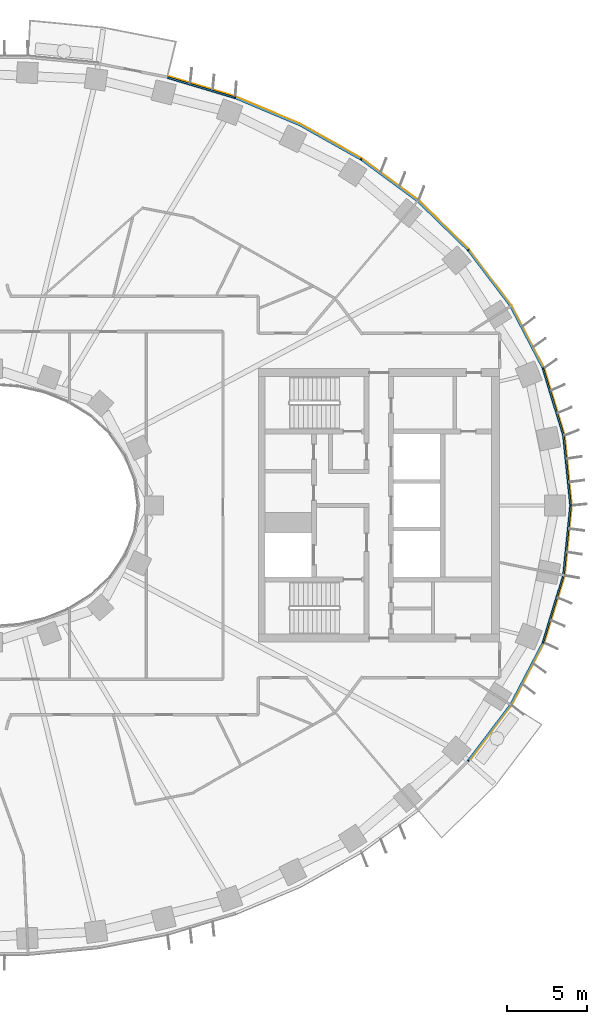
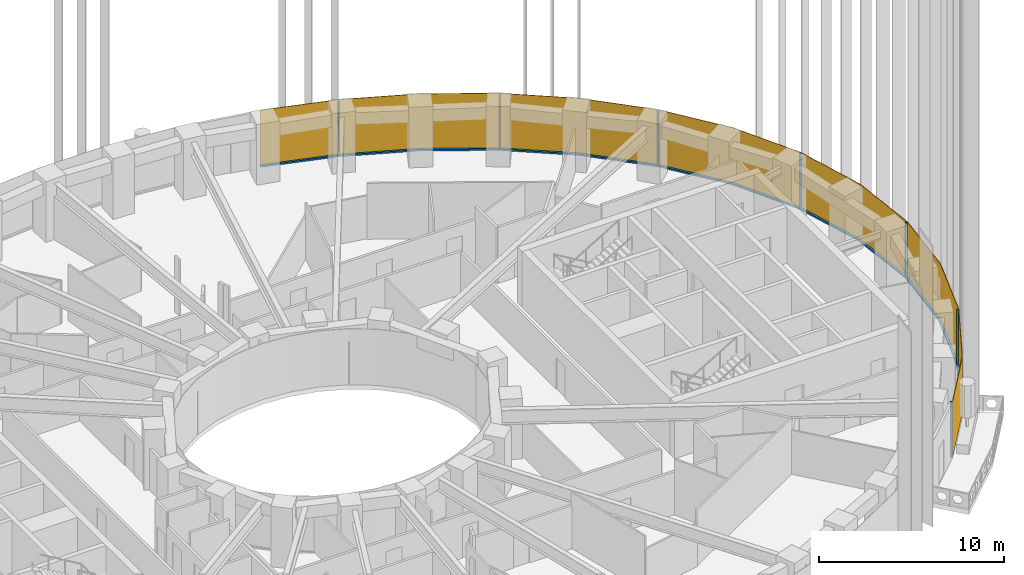
# One storey, part 14 of 20: 14 members, 1 curtain wall.
"""IFC4 building model written with IfcOpenShell, lengths in metres."""

from ifc_helpers import new_model, si_unit, direction, frame, origin, origin_2d, place, context, subcontext, project, spatial, polyline, rectangle, outline, extrude, material, layer, layer_set, material_profile, profile_set, type_object, element, aggregate, save


model = new_model("IFC4")

# Units and contexts
model_context = context("Model", 3, precision=1e-05, world=origin(), true_north=direction((0.0, 1.0)))
body_context = subcontext(model_context, "Body", "Model", "MODEL_VIEW")
ifc_project = project(units=[si_unit("LENGTHUNIT", "METRE"), si_unit("AREAUNIT", "SQUARE_METRE"), si_unit("VOLUMEUNIT", "CUBIC_METRE"), si_unit("PLANEANGLEUNIT", "RADIAN"), si_unit("MASSUNIT", "GRAM", prefix="KILO")], contexts=[model_context])

# Member
ifc_material_1 = material(Name="Aluminium 6063-T6 black anodised", Category="aluminium")
ifc_material_profile = material_profile(ifc_material_1, rectangle(XDim=0.1201171875, YDim=0.06005859375, at=origin_2d()), Name="120x60")
ifc_profile_set = profile_set([ifc_material_profile], Name="Aluminium 6063-T6 black anodised")
member_type_1 = type_object("IfcMemberType", Name="ENV-MULLION-A-120", PredefinedType="MULLION", material=ifc_profile_set)
site_placement = place(None, origin())
building_placement = place(site_placement, origin())
storey_placement = place(building_placement, frame((0.0, 0.0, 88.0)))
member_1_placement = place(storey_placement, frame((29.53857421875, -15.8671875, 0.0), z_axis=(0.0, 0.0, 1.0), x_axis=(-0.749047221705, 0.662516610853, 0.0)))
member_1 = element("IfcMember", 1, at=member_1_placement, type_object=member_type_1, Name="Mullion A radial 43", PredefinedType="MULLION", context=body_context, shape_type="SweptSolid", body=[
    extrude(rectangle(XDim=0.1201171875, YDim=0.06005859375, at=origin_2d()), origin(), (0.0, 0.0, 1.0), 3.699951171875),
])

member_2_placement = place(storey_placement, frame((34.19580078125, -8.513916015625, 0.0), z_axis=(0.0, 0.0, 1.0), x_axis=(-0.92546738067, 0.378827305398, 0.0)))
member_2 = element("IfcMember", 2, at=member_2_placement, type_object=member_type_1, Name="Mullion A radial 45", PredefinedType="MULLION", context=body_context, shape_type="SweptSolid", body=[
    extrude(rectangle(XDim=0.1201171875, YDim=0.06005859375, at=origin_2d()), origin(), (0.0, 0.0, 1.0), 3.699951171875),
])

member_3_placement = place(storey_placement, frame((35.907958984375, 0.0, 0.0), z_axis=(0.0, 0.0, 1.0), x_axis=(-1.0, 0.0, 0.0)))
member_3 = element("IfcMember", 3, at=member_3_placement, type_object=member_type_1, Name="Mullion A radial 01", PredefinedType="MULLION", context=body_context, shape_type="SweptSolid", body=[
    extrude(rectangle(XDim=0.1201171875, YDim=0.06005859375, at=origin_2d()), origin(), (0.0, 0.0, 1.0), 3.699951171875),
])

member_4_placement = place(storey_placement, frame((34.19580078125, 8.513916015625, 0.0), z_axis=(0.0, 0.0, 1.0), x_axis=(-0.92546738067, -0.378827305398, 0.0)))
member_4 = element("IfcMember", 4, at=member_4_placement, type_object=member_type_1, Name="Mullion A radial 03", PredefinedType="MULLION", context=body_context, shape_type="SweptSolid", body=[
    extrude(rectangle(XDim=0.1201171875, YDim=0.06005859375, at=origin_2d()), origin(), (0.0, 0.0, 1.0), 3.699951171875),
])

member_5_placement = place(storey_placement, frame((29.53857421875, 15.8671875, 0.0), z_axis=(0.0, 0.0, 1.0), x_axis=(-0.749047221705, -0.662516610853, 0.0)))
member_5 = element("IfcMember", 5, at=member_5_placement, type_object=member_type_1, Name="Mullion A radial 05", PredefinedType="MULLION", context=body_context, shape_type="SweptSolid", body=[
    extrude(rectangle(XDim=0.1201171875, YDim=0.06005859375, at=origin_2d()), origin(), (0.0, 0.0, 1.0), 3.699951171875),
])

member_6_placement = place(storey_placement, frame((22.882568359375, 21.506591796875, 0.0), z_axis=(0.0, 0.0, 1.0), x_axis=(-0.542279153225, -0.840198381323, 0.0)))
member_6 = element("IfcMember", 6, at=member_6_placement, type_object=member_type_1, Name="Mullion A radial 07", PredefinedType="MULLION", context=body_context, shape_type="SweptSolid", body=[
    extrude(rectangle(XDim=0.1201171875, YDim=0.06005859375, at=origin_2d()), origin(), (0.0, 0.0, 1.0), 3.699951171875),
])

member_7_placement = place(storey_placement, frame((15.0341796875, 25.34375, 0.0), z_axis=(0.0, 0.0, 1.0), x_axis=(-0.338379256581, -0.941009818608, 0.0)))
member_7 = element("IfcMember", 7, at=member_7_placement, type_object=member_type_1, Name="Mullion A radial 09", PredefinedType="MULLION", context=body_context, shape_type="SweptSolid", body=[
    extrude(rectangle(XDim=0.1201171875, YDim=0.06005859375, at=origin_2d()), origin(), (0.0, 0.0, 1.0), 3.699951171875),
])

ifc_material_2 = material(Name="Aluminium 6063-T6 black anodised", Category="aluminium")
member_type_2 = type_object("IfcMemberType", Name="ENV-TRANSOM-A", PredefinedType="USERDEFINED", material=ifc_material_2)
member_8_placement = place(storey_placement, origin())
member_8 = element("IfcMember", 8, at=member_8_placement, type_object=member_type_2, Name="Transom A radial 43-45", ObjectType="TRANSOM", PredefinedType="USERDEFINED", context=body_context, shape_type="SweptSolid", body=[
    extrude(outline(polyline([(29.6005859375, -15.884521484375), (32.22802734375, -12.41748046875), (34.23828125, -8.5615234375), (34.126708984375, -8.515869140625), (32.126220703125, -12.35302734375), (29.51025390625, -15.8046875), (29.6005859375, -15.884521484375)])), origin(), (0.0, 0.0, 1.0), 0.10009765625),
])

member_9_placement = place(storey_placement, origin())
member_9 = element("IfcMember", 9, at=member_9_placement, type_object=member_type_2, Name="Transom A radial 45-01", ObjectType="TRANSOM", PredefinedType="USERDEFINED", context=body_context, shape_type="SweptSolid", body=[
    extrude(outline(polyline([(34.259521484375, -8.509765625), (35.529541015625, -4.352294921875), (35.965087890625, -0.02783203125), (35.844482421875, -0.02783203125), (35.411376953125, -4.32861328125), (34.14794921875, -8.464111328125), (34.259521484375, -8.509765625)])), origin(), (0.0, 0.0, 1.0), 0.10009765625),
])

member_10_placement = place(storey_placement, origin())
member_10 = element("IfcMember", 10, at=member_10_placement, type_object=member_type_2, Name="Transom A radial 01-03", ObjectType="TRANSOM", PredefinedType="USERDEFINED", context=body_context, shape_type="SweptSolid", body=[
    extrude(outline(polyline([(35.965087890625, 0.02783203125), (35.529541015625, 4.352294921875), (34.259521484375, 8.509765625), (34.14794921875, 8.464111328125), (35.411376953125, 4.32861328125), (35.844482421875, 0.02783203125), (35.965087890625, 0.02783203125)])), origin(), (0.0, 0.0, 1.0), 0.10009765625),
])

member_11_placement = place(storey_placement, origin())
member_11 = element("IfcMember", 11, at=member_11_placement, type_object=member_type_2, Name="Transom A radial 03-05", ObjectType="TRANSOM", PredefinedType="USERDEFINED", context=body_context, shape_type="SweptSolid", body=[
    extrude(outline(polyline([(34.23828125, 8.5615234375), (32.22802734375, 12.41748046875), (29.6005859375, 15.884521484375), (29.51025390625, 15.8046875), (32.126220703125, 12.35302734375), (34.126708984375, 8.515869140625), (34.23828125, 8.5615234375)])), origin(), (0.0, 0.0, 1.0), 0.10009765625),
])

member_12_placement = place(storey_placement, origin())
member_12 = element("IfcMember", 12, at=member_12_placement, type_object=member_type_2, Name="Transom A radial 05-07", ObjectType="TRANSOM", PredefinedType="USERDEFINED", context=body_context, shape_type="SweptSolid", body=[
    extrude(outline(polyline([(29.5634765625, 15.926513671875), (26.4423828125, 18.958740234375), (22.937744140625, 21.540283203125), (22.87255859375, 21.439208984375), (26.364501953125, 18.866943359375), (29.473388671875, 15.8466796875), (29.5634765625, 15.926513671875)])), origin(), (0.0, 0.0, 1.0), 0.10009765625),
])

member_13_placement = place(storey_placement, origin())
member_13 = element("IfcMember", 13, at=member_13_placement, type_object=member_type_2, Name="Transom A radial 07-09", ObjectType="TRANSOM", PredefinedType="USERDEFINED", context=body_context, shape_type="SweptSolid", body=[
    extrude(outline(polyline([(22.890625, 21.570556640625), (19.093994140625, 23.701416015625), (15.080322265625, 25.389404296875), (15.03955078125, 25.276123046875), (19.041259765625, 23.593505859375), (22.825439453125, 21.469482421875), (22.890625, 21.570556640625)])), origin(), (0.0, 0.0, 1.0), 0.10009765625),
])

member_14_placement = place(storey_placement, origin())
member_14 = element("IfcMember", 14, at=member_14_placement, type_object=member_type_2, Name="Transom A radial 09-10", ObjectType="TRANSOM", PredefinedType="USERDEFINED", context=body_context, shape_type="SweptSolid", body=[
    extrude(outline(polyline([(15.027587890625, 25.408203125), (10.876708984375, 26.657470703125), (10.847900390625, 26.540771484375), (14.987060546875, 25.295166015625), (15.027587890625, 25.408203125)])), origin(), (0.0, 0.0, 1.0), 0.10009765625),
])

# Site, building, storey
site = spatial("IfcSite", under=ifc_project, at=site_placement, CompositionType="ELEMENT")
building = spatial("IfcBuilding", under=site, at=building_placement, Name="Noorbagh Ring Tower", CompositionType="ELEMENT")
storey = spatial("IfcBuildingStorey", under=building, at=storey_placement, Name="L19", CompositionType="ELEMENT", Elevation=88.0)

# Curtain wall
ifc_material_3 = material(Name="Glass dark tinted laminated", Category="glass")
ifc_layer = layer(ifc_material_3, 0.031982421875)
ifc_layer_set = layer_set([ifc_layer], Name="Glass dark tinted laminated")
curtain_wall_type = type_object("IfcCurtainWallType", Name="ENV-CW-A", PredefinedType="NOTDEFINED", material=ifc_layer_set)
curtain_wall_placement = place(storey_placement, origin())
curtain_wall = element("IfcCurtainWall", 15, at=curtain_wall_placement, inside=storey, type_object=curtain_wall_type, Name="Curtain wall A R43", PredefinedType="NOTDEFINED", context=body_context, shape_type="SweptSolid", body=[
    extrude(outline(polyline([(29.61962890625, -15.912109375), (32.255126953125, -12.434814453125), (34.281005859375, -8.548828125), (35.561279296875, -4.358642578125), (36.0, 0.0), (35.561279296875, 4.358642578125), (34.281005859375, 8.548828125), (32.255126953125, 12.434814453125), (29.607666015625, 15.927978515625), (26.463134765625, 18.9833984375), (22.9326171875, 21.583740234375), (19.108154296875, 23.730224609375), (15.065185546875, 25.430419921875), (10.884521484375, 26.6884765625), (10.876708984375, 26.657470703125), (15.054443359375, 25.400146484375), (19.093994140625, 23.701416015625), (22.9150390625, 21.556884765625), (26.4423828125, 18.958740234375), (29.58349609375, 15.906982421875), (32.22802734375, 12.41748046875), (34.251220703125, 8.53662109375), (35.529541015625, 4.352294921875), (35.9677734375, 0.0), (35.529541015625, -4.352294921875), (34.251220703125, -8.53662109375), (32.22802734375, -12.41748046875), (29.595703125, -15.890869140625), (29.61962890625, -15.912109375)])), origin(), (0.0, 0.0, 1.0), 3.699951171875),
])

aggregate(curtain_wall, [member_1, member_2, member_3, member_4, member_5, member_6, member_7, member_8, member_9, member_10, member_11, member_12, member_13, member_14])

save(model, "model.ifc")
